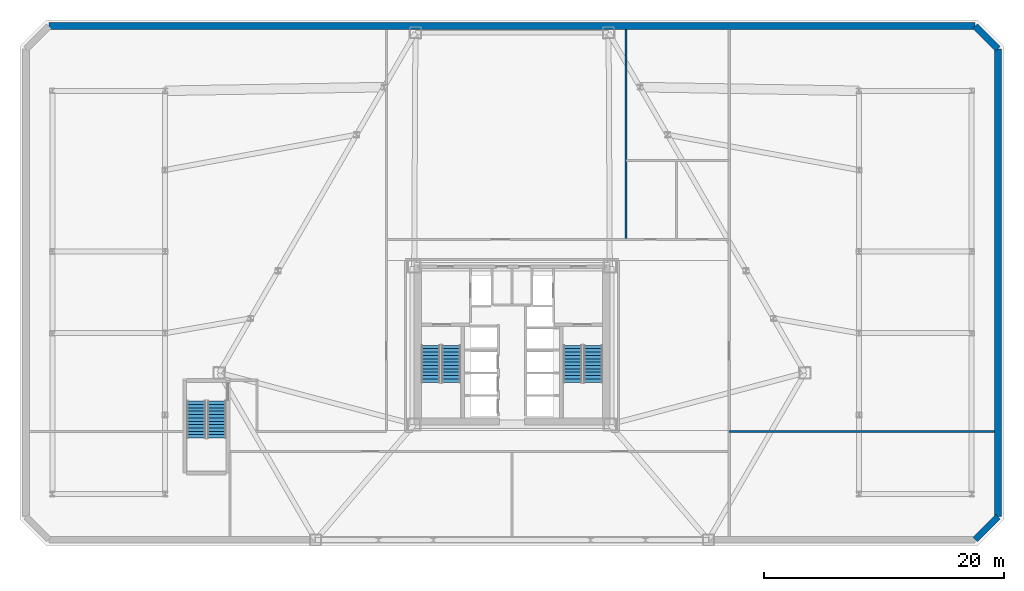
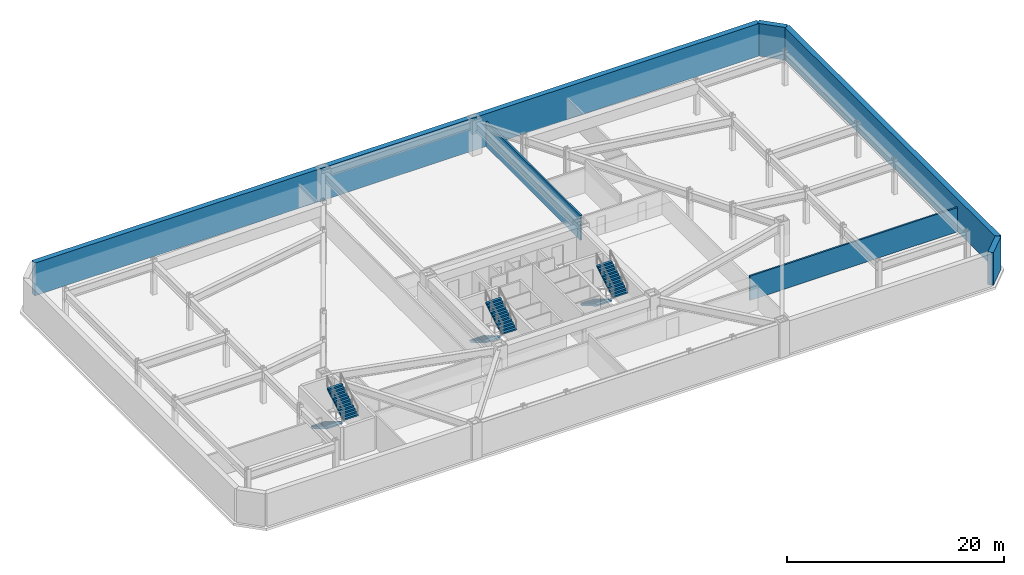
# One storey, part 6 of 10: 6 stair flights, 6 walls, 3 elements without a shape of their own.
"""IFC4 building model written with IfcOpenShell, lengths in metres."""

from ifc_helpers import new_model, si_unit, direction, frame, frame_2d, origin, place, context, subcontext, project, spatial, polyline, rectangle, outline, extrude, material, layer, layer_set, type_object, element, aggregate, save


model = new_model("IFC4")

# Units and contexts
model_context = context("Model", 3, precision=1e-05, world=origin(), true_north=direction((0.0, 1.0)))
body_context = subcontext(model_context, "Body", "Model", "MODEL_VIEW")
ifc_project = project(units=[si_unit("LENGTHUNIT", "METRE"), si_unit("AREAUNIT", "SQUARE_METRE"), si_unit("VOLUMEUNIT", "CUBIC_METRE"), si_unit("PLANEANGLEUNIT", "RADIAN"), si_unit("MASSUNIT", "GRAM", prefix="KILO")], contexts=[model_context])

# Site, building, storey
site_placement = place(None, origin())
site = spatial("IfcSite", under=ifc_project, at=site_placement, CompositionType="ELEMENT")
building_placement = place(site_placement, origin())
building = spatial("IfcBuilding", under=site, at=building_placement, Name="Oramaril Tower", CompositionType="ELEMENT")
storey_placement = place(building_placement, frame((0.0, 0.0, -4.0)))
storey = spatial("IfcBuildingStorey", under=building, at=storey_placement, Name="B01", CompositionType="ELEMENT", Elevation=-4.0)

# Walls
ifc_material_1 = material(Name="Autoclaved Cellular Concrete Block", Category="concrete")
ifc_layer_1 = layer(ifc_material_1, 0.179931640625)
ifc_layer_set_1 = layer_set([ifc_layer_1], Name="WT-PT18")
wall_type_1 = type_object("IfcWallType", Name="WT-PT18", PredefinedType="PARTITIONING", material=ifc_layer_set_1)
wall_1_placement = place(storey_placement, frame((55.60009765625, 10.39990234375, 0.0), z_axis=(0.0, 0.0, 1.0), x_axis=(1.0, 0.0, 0.0)))
element("IfcWall", 1, at=wall_1_placement, inside=storey, type_object=wall_type_1, Name="B01 Interior Partition PT-18", PredefinedType="PARTITIONING", context=body_context, shape_type="SweptSolid", body=[
    extrude(rectangle(XDim=22.120849609375, YDim=0.179931640625, at=frame_2d((11.060546875, 0.0))), origin(), (0.0, 0.0, 1.0), 2.742919921875),
])
wall_2_placement = place(storey_placement, frame((47.0, 26.493896484375, 0.0), z_axis=(0.0, 0.0, 1.0), x_axis=(0.0, 1.0, 0.0)))
element("IfcWall", 2, at=wall_2_placement, inside=storey, type_object=wall_type_1, Name="B01 Interior Partition PT-18", PredefinedType="PARTITIONING", context=body_context, shape_type="SweptSolid", body=[
    extrude(rectangle(XDim=17.427001953125, YDim=0.179931640625, at=frame_2d((8.71337890625, 0.0))), origin(), (0.0, 0.0, 1.0), 2.81396484375),
])
ifc_material_2 = material(Name="Concrete C50/60", Category="concrete")
ifc_layer_2 = layer(ifc_material_2, 0.550048828125)
ifc_layer_set_2 = layer_set([ifc_layer_2], Name="WT-RET55")
wall_type_2 = type_object("IfcWallType", Name="WT-RET55", PredefinedType="USERDEFINED", material=ifc_layer_set_2)
wall_3_placement = place(storey_placement, frame((76.093017578125, 1.39990234375, 0.0), z_axis=(0.0, 0.0, 1.0), x_axis=(0.707061519111, 0.707152040365, 0.0)))
element("IfcWall", 3, at=wall_3_placement, inside=storey, type_object=wall_type_2, Name="B01 Perimeter Retaining Wall RW-02", ObjectType="RETAININGWALL", PredefinedType="USERDEFINED", context=body_context, shape_type="SweptSolid", body=[
    extrude(rectangle(XDim=2.697021484375, YDim=0.550048828125, at=frame_2d((1.3486328125, 0.0))), origin(), (0.0, 0.0, 1.0), 3.679931640625),
])
wall_4_placement = place(storey_placement, frame((78.0, 3.30712890625, 0.0), z_axis=(0.0, 0.0, 1.0), x_axis=(0.0, 1.0, 0.0)))
element("IfcWall", 4, at=wall_4_placement, inside=storey, type_object=wall_type_2, Name="B01 Perimeter Retaining Wall RW-03", ObjectType="RETAININGWALL", PredefinedType="USERDEFINED", context=body_context, shape_type="SweptSolid", body=[
    extrude(rectangle(XDim=38.98583984375, YDim=0.550048828125, at=frame_2d((19.492919921875, 0.0))), origin(), (0.0, 0.0, 1.0), 3.679931640625),
])
wall_5_placement = place(storey_placement, frame((78.0, 42.29296875, 0.0), z_axis=(0.0, 0.0, 1.0), x_axis=(-0.707106781187, 0.707106781187, 0.0)))
element("IfcWall", 5, at=wall_5_placement, inside=storey, type_object=wall_type_2, Name="B01 Perimeter Retaining Wall RW-04", ObjectType="RETAININGWALL", PredefinedType="USERDEFINED", context=body_context, shape_type="SweptSolid", body=[
    extrude(rectangle(XDim=2.69677734375, YDim=0.550048828125, at=frame_2d((1.348388671875, 0.0))), origin(), (0.0, 0.0, 1.0), 3.679931640625),
])
wall_6_placement = place(storey_placement, frame((76.093017578125, 44.199951171875, 0.0), z_axis=(0.0, 0.0, 1.0), x_axis=(-1.0, 0.0, 0.0)))
element("IfcWall", 6, at=wall_6_placement, inside=storey, type_object=wall_type_2, Name="B01 Perimeter Retaining Wall RW-05", ObjectType="RETAININGWALL", PredefinedType="USERDEFINED", context=body_context, shape_type="SweptSolid", body=[
    extrude(rectangle(XDim=77.18603515625, YDim=0.550048828125, at=frame_2d((38.593017578125, 0.0))), origin(), (0.0, 0.0, 1.0), 3.679931640625),
])

# Stair, stair flights
ifc_material_3 = material(Name="Concrete C50/60", Category="concrete")
stair_type = type_object("IfcStairType", Name="STT-DG-4000", PredefinedType="HALF_TURN_STAIR", material=ifc_material_3)
stair_1_placement = place(storey_placement, origin())
stair_1 = element("IfcStair", 7, at=stair_1_placement, inside=storey, type_object=stair_type, Name="B01 Protected PFP Exit Stair ST-1", PredefinedType="HALF_TURN_STAIR")
ifc_material_4 = material(Name="Concrete C50/60", Category="concrete")
stair_flight_type = type_object("IfcStairFlightType", Name="SFT-DG-4000", PredefinedType="STRAIGHT", material=ifc_material_4)
stair_flight_1_placement = place(storey_placement, frame((30.72998046875, 17.590087890625, 0.0), z_axis=(0.0, 0.0, 1.0), x_axis=(0.0, -1.0, 0.0)))
stair_flight_1 = element("IfcStairFlight", 8, at=stair_flight_1_placement, type_object=stair_flight_type, Name="ST-1 flight 1", NumberOfRisers=12, NumberOfTreads=11, PredefinedType="STRAIGHT", RiserHeight=0.166666667, TreadLength=0.28, context=body_context, shape_type="SweptSolid", body=[
    extrude(outline(polyline([(0.0, 0.0), (0.0, 0.166748046875), (0.280029296875, 0.166748046875), (0.280029296875, 0.333251953125), (0.56005859375, 0.333251953125), (0.56005859375, 0.5), (0.840087890625, 0.5), (0.840087890625, 0.666748046875), (1.1201171875, 0.666748046875), (1.1201171875, 0.833251953125), (1.39990234375, 0.833251953125), (1.39990234375, 1.0), (1.679931640625, 1.0), (1.679931640625, 1.166748046875), (1.9599609375, 1.166748046875), (1.9599609375, 1.333251953125), (2.239990234375, 1.333251953125), (2.239990234375, 1.5), (2.52001953125, 1.5), (2.52001953125, 1.666748046875), (2.800048828125, 1.666748046875), (2.800048828125, 1.833251953125), (3.080078125, 1.833251953125), (3.080078125, 2.0), (3.080078125, 1.658935546875), (0.29296875, 0.0), (0.0, 0.0)])), frame((0.0, 0.780029296875, 0.0), z_axis=(0.0, -1.0, 0.0), x_axis=(1.0, 0.0, 0.0)), (0.0, 0.0, 1.0), 1.56005859375),
])
stair_flight_2_placement = place(storey_placement, frame((32.43994140625, 14.510009765625, 2.0), z_axis=(0.0, 0.0, 1.0), x_axis=(0.0, 1.0, 0.0)))
stair_flight_2 = element("IfcStairFlight", 9, at=stair_flight_2_placement, type_object=stair_flight_type, Name="ST-1 flight 2", NumberOfRisers=12, NumberOfTreads=11, PredefinedType="STRAIGHT", RiserHeight=0.166666667, TreadLength=0.28, context=body_context, shape_type="SweptSolid", body=[
    extrude(outline(polyline([(0.0, 0.0), (0.0, 0.166748046875), (0.280029296875, 0.166748046875), (0.280029296875, 0.333251953125), (0.56005859375, 0.333251953125), (0.56005859375, 0.5), (0.840087890625, 0.5), (0.840087890625, 0.666748046875), (1.1201171875, 0.666748046875), (1.1201171875, 0.833251953125), (1.39990234375, 0.833251953125), (1.39990234375, 1.0), (1.679931640625, 1.0), (1.679931640625, 1.166748046875), (1.9599609375, 1.166748046875), (1.9599609375, 1.333251953125), (2.239990234375, 1.333251953125), (2.239990234375, 1.5), (2.52001953125, 1.5), (2.52001953125, 1.666748046875), (2.800048828125, 1.666748046875), (2.800048828125, 1.833251953125), (3.080078125, 1.833251953125), (3.080078125, 2.0), (3.080078125, 1.658935546875), (0.29296875, 0.0), (0.0, 0.0)])), frame((0.0, 0.780029296875, 0.0), z_axis=(0.0, -1.0, 0.0), x_axis=(1.0, 0.0, 0.0)), (0.0, 0.0, 1.0), 1.56005859375),
])
aggregate(stair_1, [stair_flight_1, stair_flight_2])

stair_2_placement = place(storey_placement, origin())
stair_2 = element("IfcStair", 10, at=stair_2_placement, inside=storey, type_object=stair_type, Name="B01 Protected PFP Exit Stair ST-2", PredefinedType="HALF_TURN_STAIR")
stair_flight_3_placement = place(storey_placement, frame((42.56005859375, 17.590087890625, 0.0), z_axis=(0.0, 0.0, 1.0), x_axis=(0.0, -1.0, 0.0)))
stair_flight_3 = element("IfcStairFlight", 11, at=stair_flight_3_placement, type_object=stair_flight_type, Name="ST-2 flight 1", NumberOfRisers=12, NumberOfTreads=11, PredefinedType="STRAIGHT", RiserHeight=0.166666667, TreadLength=0.28, context=body_context, shape_type="SweptSolid", body=[
    extrude(outline(polyline([(0.0, 0.0), (0.0, 0.166748046875), (0.280029296875, 0.166748046875), (0.280029296875, 0.333251953125), (0.56005859375, 0.333251953125), (0.56005859375, 0.5), (0.840087890625, 0.5), (0.840087890625, 0.666748046875), (1.1201171875, 0.666748046875), (1.1201171875, 0.833251953125), (1.39990234375, 0.833251953125), (1.39990234375, 1.0), (1.679931640625, 1.0), (1.679931640625, 1.166748046875), (1.9599609375, 1.166748046875), (1.9599609375, 1.333251953125), (2.239990234375, 1.333251953125), (2.239990234375, 1.5), (2.52001953125, 1.5), (2.52001953125, 1.666748046875), (2.800048828125, 1.666748046875), (2.800048828125, 1.833251953125), (3.080078125, 1.833251953125), (3.080078125, 2.0), (3.080078125, 1.658935546875), (0.29296875, 0.0), (0.0, 0.0)])), frame((0.0, 0.780029296875, 0.0), z_axis=(0.0, -1.0, 0.0), x_axis=(1.0, 0.0, 0.0)), (0.0, 0.0, 1.0), 1.56005859375),
])
stair_flight_4_placement = place(storey_placement, frame((44.27001953125, 14.510009765625, 2.0), z_axis=(0.0, 0.0, 1.0), x_axis=(0.0, 1.0, 0.0)))
stair_flight_4 = element("IfcStairFlight", 12, at=stair_flight_4_placement, type_object=stair_flight_type, Name="ST-2 flight 2", NumberOfRisers=12, NumberOfTreads=11, PredefinedType="STRAIGHT", RiserHeight=0.166666667, TreadLength=0.28, context=body_context, shape_type="SweptSolid", body=[
    extrude(outline(polyline([(0.0, 0.0), (0.0, 0.166748046875), (0.280029296875, 0.166748046875), (0.280029296875, 0.333251953125), (0.56005859375, 0.333251953125), (0.56005859375, 0.5), (0.840087890625, 0.5), (0.840087890625, 0.666748046875), (1.1201171875, 0.666748046875), (1.1201171875, 0.833251953125), (1.39990234375, 0.833251953125), (1.39990234375, 1.0), (1.679931640625, 1.0), (1.679931640625, 1.166748046875), (1.9599609375, 1.166748046875), (1.9599609375, 1.333251953125), (2.239990234375, 1.333251953125), (2.239990234375, 1.5), (2.52001953125, 1.5), (2.52001953125, 1.666748046875), (2.800048828125, 1.666748046875), (2.800048828125, 1.833251953125), (3.080078125, 1.833251953125), (3.080078125, 2.0), (3.080078125, 1.658935546875), (0.29296875, 0.0), (0.0, 0.0)])), frame((0.0, 0.780029296875, 0.0), z_axis=(0.0, -1.0, 0.0), x_axis=(1.0, 0.0, 0.0)), (0.0, 0.0, 1.0), 1.56005859375),
])
aggregate(stair_2, [stair_flight_3, stair_flight_4])

stair_3_placement = place(storey_placement, origin())
stair_3 = element("IfcStair", 13, at=stair_3_placement, inside=storey, type_object=stair_type, Name="B01 Podium Enclosed Exit Stair ST-3", PredefinedType="HALF_TURN_STAIR")
stair_flight_5_placement = place(storey_placement, frame((11.179931640625, 12.93994140625, 0.0), z_axis=(0.0, 0.0, 1.0), x_axis=(0.0, -1.0, 0.0)))
stair_flight_5 = element("IfcStairFlight", 14, at=stair_flight_5_placement, type_object=stair_flight_type, Name="ST-3 flight 1", NumberOfRisers=12, NumberOfTreads=11, PredefinedType="STRAIGHT", RiserHeight=0.166666667, TreadLength=0.28, context=body_context, shape_type="SweptSolid", body=[
    extrude(outline(polyline([(0.0, 0.0), (0.0, 0.166748046875), (0.280029296875, 0.166748046875), (0.280029296875, 0.333251953125), (0.56005859375, 0.333251953125), (0.56005859375, 0.5), (0.840087890625, 0.5), (0.840087890625, 0.666748046875), (1.1201171875, 0.666748046875), (1.1201171875, 0.833251953125), (1.39990234375, 0.833251953125), (1.39990234375, 1.0), (1.679931640625, 1.0), (1.679931640625, 1.166748046875), (1.9599609375, 1.166748046875), (1.9599609375, 1.333251953125), (2.239990234375, 1.333251953125), (2.239990234375, 1.5), (2.52001953125, 1.5), (2.52001953125, 1.666748046875), (2.800048828125, 1.666748046875), (2.800048828125, 1.833251953125), (3.080078125, 1.833251953125), (3.080078125, 2.0), (3.080078125, 1.658935546875), (0.29296875, 0.0), (0.0, 0.0)])), frame((0.0, 0.780029296875, 0.0), z_axis=(0.0, -1.0, 0.0), x_axis=(1.0, 0.0, 0.0)), (0.0, 0.0, 1.0), 1.56005859375),
])
stair_flight_6_placement = place(storey_placement, frame((12.889892578125, 9.860107421875, 2.0), z_axis=(0.0, 0.0, 1.0), x_axis=(0.0, 1.0, 0.0)))
stair_flight_6 = element("IfcStairFlight", 15, at=stair_flight_6_placement, type_object=stair_flight_type, Name="ST-3 flight 2", NumberOfRisers=12, NumberOfTreads=11, PredefinedType="STRAIGHT", RiserHeight=0.166666667, TreadLength=0.28, context=body_context, shape_type="SweptSolid", body=[
    extrude(outline(polyline([(0.0, 0.0), (0.0, 0.166748046875), (0.280029296875, 0.166748046875), (0.280029296875, 0.333251953125), (0.56005859375, 0.333251953125), (0.56005859375, 0.5), (0.840087890625, 0.5), (0.840087890625, 0.666748046875), (1.1201171875, 0.666748046875), (1.1201171875, 0.833251953125), (1.39990234375, 0.833251953125), (1.39990234375, 1.0), (1.679931640625, 1.0), (1.679931640625, 1.166748046875), (1.9599609375, 1.166748046875), (1.9599609375, 1.333251953125), (2.239990234375, 1.333251953125), (2.239990234375, 1.5), (2.52001953125, 1.5), (2.52001953125, 1.666748046875), (2.800048828125, 1.666748046875), (2.800048828125, 1.833251953125), (3.080078125, 1.833251953125), (3.080078125, 2.0), (3.080078125, 1.658935546875), (0.29296875, 0.0), (0.0, 0.0)])), frame((0.0, 0.780029296875, 0.0), z_axis=(0.0, -1.0, 0.0), x_axis=(1.0, 0.0, 0.0)), (0.0, 0.0, 1.0), 1.56005859375),
])
aggregate(stair_3, [stair_flight_5, stair_flight_6])

save(model, "model.ifc")
